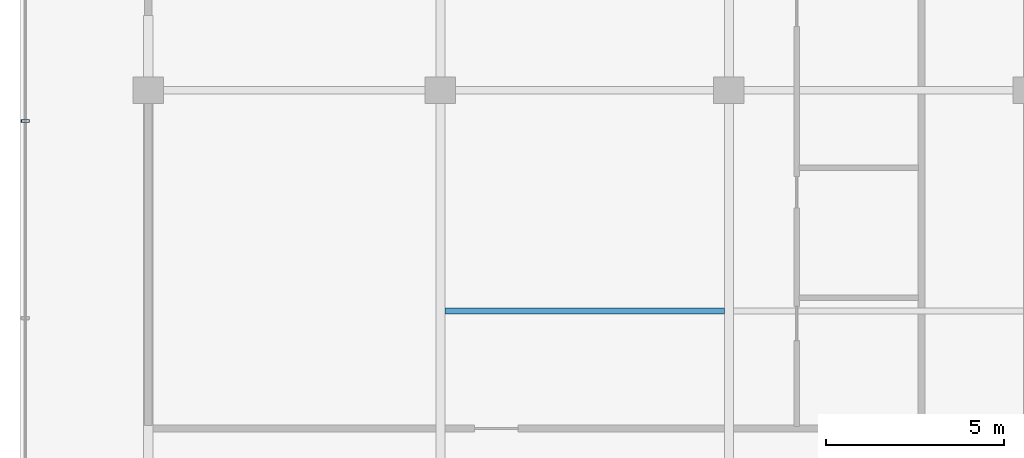
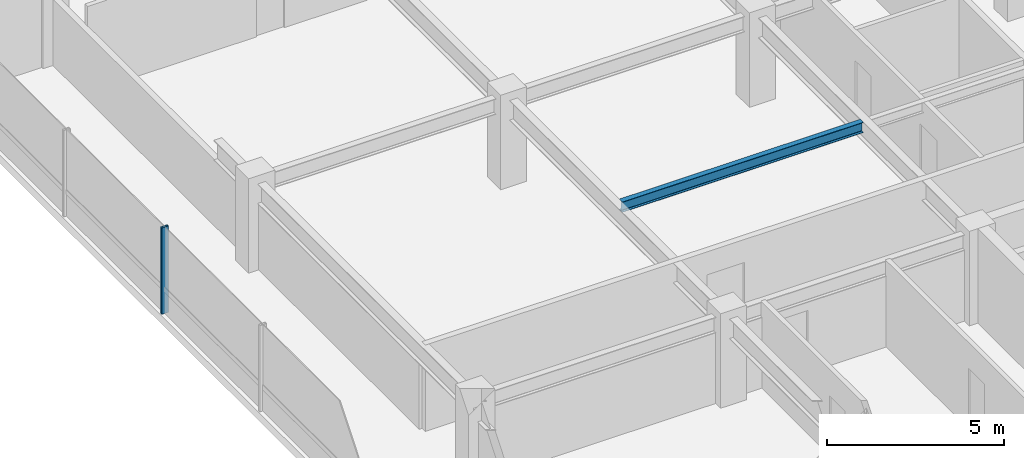
# One storey, part 7 of 32: 1 beam, 1 member, 1 element without a shape of its own.
"""IFC4 building model written with IfcOpenShell, lengths in metres."""

from ifc_helpers import new_model, si_unit, direction, frame, origin, origin_2d, place, context, subcontext, project, spatial, hollow_rectangle, i_section, extrude, material, layer, layer_set, material_profile, profile_set, type_object, element, aggregate, save


model = new_model("IFC4")

# Units and contexts
model_context = context("Model", 3, precision=1e-05, world=origin(), true_north=direction((0.0, 1.0)))
body_context = subcontext(model_context, "Body", "Model", "MODEL_VIEW")
ifc_project = project(units=[si_unit("LENGTHUNIT", "METRE"), si_unit("AREAUNIT", "SQUARE_METRE"), si_unit("VOLUMEUNIT", "CUBIC_METRE"), si_unit("PLANEANGLEUNIT", "RADIAN"), si_unit("MASSUNIT", "GRAM", prefix="KILO")], contexts=[model_context])

# Site, building, storey
site_placement = place(None, origin())
site = spatial("IfcSite", under=ifc_project, at=site_placement, CompositionType="ELEMENT")
building_placement = place(site_placement, origin())
building = spatial("IfcBuilding", under=site, at=building_placement, Name="Korimba Cascade Residences", CompositionType="ELEMENT")
storey_placement = place(building_placement, frame((0.0, 0.0, 178.35009765625)))
storey = spatial("IfcBuildingStorey", under=building, at=storey_placement, Name="L51", CompositionType="ELEMENT", Elevation=178.35009765625)

# Beam
ifc_material_1 = material(Name="Steel S355", Category="steel")
ifc_material_profile_1 = material_profile(ifc_material_1, i_section(OverallWidth=0.172119140625, OverallDepth=0.35791015625, WebThickness=0.008056640625, FlangeThickness=0.012939453125, FilletRadius=0.01025390625, at=origin_2d()), Name="Steel S355")
ifc_profile_set_1 = profile_set([ifc_material_profile_1], Name="Steel S355")
beam_type = type_object("IfcBeamType", Name="BM-STL-UB356", PredefinedType="JOIST", material=ifc_profile_set_1)
beam_placement = place(storey_placement, frame((68.1279296875, 73.39990234375, 2.791015625), z_axis=(1.0, 0.0, 0.0), x_axis=(0.0, 1.0, 0.0)))
element("IfcBeam", 1, at=beam_placement, inside=storey, type_object=beam_type, Name="L51 T1 Floor Joist 1.2", PredefinedType="JOIST", context=body_context, shape_type="SweptSolid", body=[
    extrude(i_section(OverallWidth=0.172119140625, OverallDepth=0.35791015625, WebThickness=0.008056640625, FlangeThickness=0.012939453125, FilletRadius=0.01025390625, at=origin_2d()), origin(), (0.0, 0.0, 1.0), 7.84423828125),
])

# Curtain wall, member
ifc_material_2 = material(Name="Anodised Aluminium Curtain Wall Framing", Category="aluminium")
ifc_layer = layer(ifc_material_2, 0.179931640625)
ifc_layer_set = layer_set([ifc_layer], Name="Anodised Aluminium Curtain Wall Framing")
curtain_wall_type = type_object("IfcCurtainWallType", Name="CW-SKY-SYS2", PredefinedType="NOTDEFINED", material=ifc_layer_set)
curtain_wall_placement = place(storey_placement, origin())
curtain_wall = element("IfcCurtainWall", 2, at=curtain_wall_placement, inside=storey, type_object=curtain_wall_type, Name="L51 Curtain Wall CW-L51-T1-E9", PredefinedType="NOTDEFINED")
ifc_material_3 = material(Name="Anodised Aluminium Mullion", Category="aluminium")
ifc_material_profile_2 = material_profile(ifc_material_3, hollow_rectangle(XDim=0.080078125, YDim=0.219970703125, WallThickness=0.00634765625, InnerFilletRadius=0.00634765625, OuterFilletRadius=0.0126953125, at=origin_2d()), Name="Anodised Aluminium Mullion")
ifc_profile_set_2 = profile_set([ifc_material_profile_2], Name="Anodised Aluminium Mullion")
member_type = type_object("IfcMemberType", Name="CWM-MUL-220", PredefinedType="MULLION", material=ifc_profile_set_2)
member_placement = place(storey_placement, frame((56.35009765625, 78.7333984375, 0.0), z_axis=(0.0, 0.0, 1.0), x_axis=(0.0, -1.0, 0.0)))
member = element("IfcMember", 3, at=member_placement, type_object=member_type, Name="CW-L51-T1-E9 Mullion 3", PredefinedType="MULLION", context=body_context, shape_type="SweptSolid", body=[
    extrude(hollow_rectangle(XDim=0.080078125, YDim=0.219970703125, WallThickness=0.00634765625, InnerFilletRadius=0.00634765625, OuterFilletRadius=0.0126953125, at=origin_2d()), origin(), (0.0, 0.0, 1.0), 2.969970703125),
])
aggregate(curtain_wall, [member])

save(model, "model.ifc")
